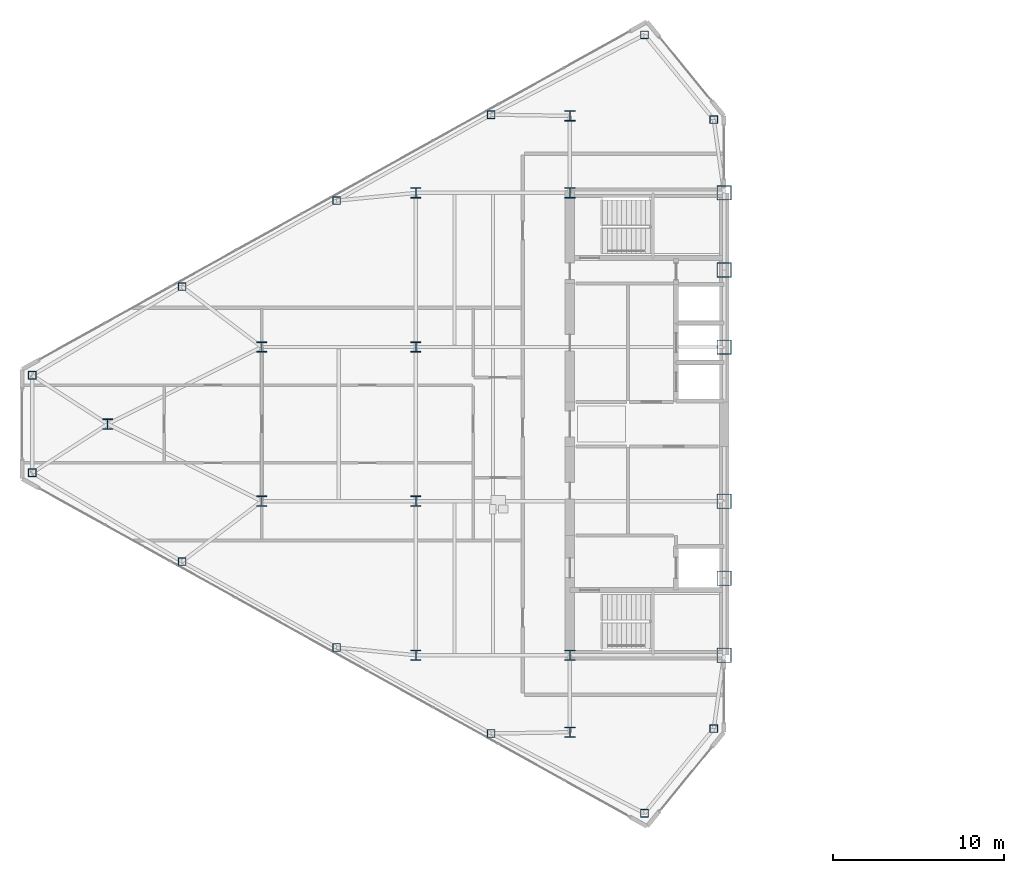
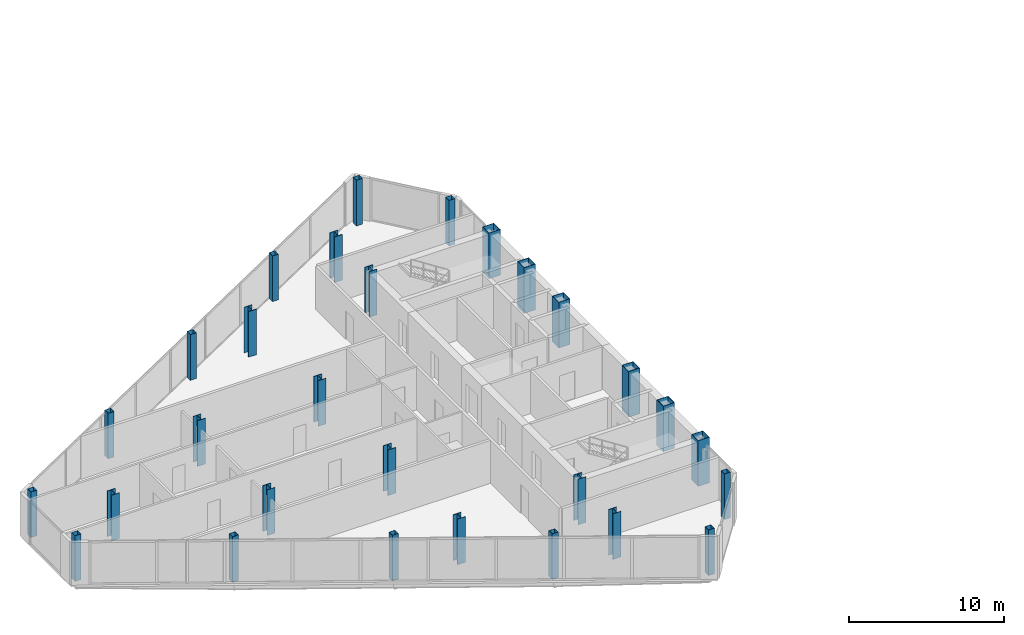
# One storey, part 1 of 25: 29 columns.
"""IFC4 building model written with IfcOpenShell, lengths in metres."""

from ifc_helpers import new_model, si_unit, direction, frame, origin, origin_2d, place, context, subcontext, project, spatial, hollow_rectangle, i_section, extrude, source, transform, mapped, material, material_profile, profile_set, type_object, type_shapes, element, save


model = new_model("IFC4")

# Units and contexts
model_context = context("Model", 3, precision=1e-05, world=origin(), true_north=direction((0.0, 1.0)))
body_context = subcontext(model_context, "Body", "Model", "MODEL_VIEW")
ifc_project = project(units=[si_unit("LENGTHUNIT", "METRE"), si_unit("AREAUNIT", "SQUARE_METRE"), si_unit("VOLUMEUNIT", "CUBIC_METRE"), si_unit("PLANEANGLEUNIT", "RADIAN"), si_unit("MASSUNIT", "GRAM", prefix="KILO")], contexts=[model_context])

# Site, building, storey
site_placement = place(None, origin())
site = spatial("IfcSite", under=ifc_project, at=site_placement, CompositionType="ELEMENT")
building_placement = place(site_placement, origin())
building = spatial("IfcBuilding", under=site, at=building_placement, Name="Seokmaru Belvedere", CompositionType="ELEMENT")
storey_placement = place(building_placement, frame((0.0, 0.0, 185.10009765625)))
storey = spatial("IfcBuildingStorey", under=building, at=storey_placement, Name="L49", CompositionType="ELEMENT", Elevation=185.10009765625)

# Columns
ifc_material_1 = material(Name="Steel SM355 (355 MPa)", Category="steel")
ifc_material_profile_1 = material_profile(ifc_material_1, hollow_rectangle(XDim=0.449951171875, YDim=0.449951171875, WallThickness=0.01806640625, at=origin_2d()), Name="HSS-450x450x18")
ifc_profile_set_1 = profile_set([ifc_material_profile_1], Name="Steel SM355 (355 MPa)")
column_type_1 = type_object("IfcColumnType", Name="Perimeter Facet Column HSS-450", PredefinedType="COLUMN", material=ifc_profile_set_1)
shared_shape_1 = source(origin(), body_context, "Body", "SweptSolid", [
    extrude(hollow_rectangle(XDim=0.449951171875, YDim=0.449951171875, WallThickness=0.01806640625, at=origin_2d()), origin(), (0.0, 0.0, 1.0), 3.599853515625),
])
type_shapes(column_type_1, [shared_shape_1])
for number, where, z_axis, x_axis, name in (
    (1, (-28.10009765625, -17.785888671875, 0.0), (0.0, 0.0, 1.0), (1.0, 0.0, 0.0), "L49 Column WF1"),
    (2, (-28.10009765625, 17.785888671875, 0.0), (0.0, 0.0, 1.0), (1.0, 0.0, 0.0), "L49 Column WF2"),
    (3, (-32.146728515625, 22.731689453125, 0.0), (0.0, 0.0, 1.0), (1.0, 0.0, 0.0), "L49 Column WF3"),
    (4, (-67.89990234375, 2.84716796875, 0.0), (0.0, 0.0, 1.0), (1.0, 0.0, 0.0), "L49 Column WF4"),
    (5, (-67.89990234375, -2.84716796875, 0.0), (0.0, 0.0, 1.0), (1.0, 0.0, 0.0), "L49 Column WF5"),
    (6, (-32.146728515625, -22.731689453125, 0.0), (0.0, 0.0, 1.0), (1.0, 0.0, 0.0), "L49 Column WF6"),
    (7, (-41.103759765625, -18.07080078125, 0.0), (0.0, 0.0, 1.0), (1.0, 0.0, 0.0), "L49 Column WFLK_S1"),
    (8, (-50.129150390625, -13.051025390625, 0.0), (0.0, 0.0, 1.0), (1.0, 0.0, 0.0), "L49 Column WFLK_S2"),
    (9, (-59.154541015625, -8.031494140625, 0.0), (0.0, 0.0, 1.0), (1.0, 0.0, 0.0), "L49 Column WFLK_S3"),
    (10, (-41.103759765625, 18.07080078125, 0.0), (0.0, 0.0, 1.0), (1.0, 0.0, 0.0), "L49 Column WFLK_N1"),
    (11, (-50.129150390625, 13.051025390625, 0.0), (0.0, 0.0, 1.0), (1.0, 0.0, 0.0), "L49 Column WFLK_N2"),
    (12, (-59.154541015625, 8.031494140625, 0.0), (0.0, 0.0, 1.0), (1.0, 0.0, 0.0), "L49 Column WFLK_N3"),
):
    element("IfcColumn", number, at=place(storey_placement, frame(where, z_axis=z_axis, x_axis=x_axis)), inside=storey, type_object=column_type_1, Name=name, PredefinedType="COLUMN", context=body_context, shape_type="MappedRepresentation", body=[
        mapped(shared_shape_1, transform((0.0, 0.0, 0.0), scale=1.0)),
    ])
ifc_material_2 = material(Name="Steel HSA650 (650 MPa)", Category="steel")
ifc_material_profile_2 = material_profile(ifc_material_2, hollow_rectangle(XDim=0.85009765625, YDim=0.85009765625, WallThickness=0.035888671875, at=origin_2d()), Name="BOX-850x850x36")
ifc_profile_set_2 = profile_set([ifc_material_profile_2], Name="Steel HSA650 (650 MPa)")
column_type_2 = type_object("IfcColumnType", Name="Portal Spine Column BOX-850", PredefinedType="COLUMN", material=ifc_profile_set_2)
shared_shape_2 = source(origin(), body_context, "Body", "SweptSolid", [
    extrude(hollow_rectangle(XDim=0.85009765625, YDim=0.85009765625, WallThickness=0.035888671875, at=origin_2d()), origin(), (0.0, 0.0, 1.0), 3.599853515625),
])
type_shapes(column_type_2, [shared_shape_2])
for number, where, z_axis, x_axis, name in (
    (13, (-27.5, -13.5, 0.0), (0.0, 0.0, 1.0), (1.0, 0.0, 0.0), "L49 Column WS1"),
    (14, (-27.5, -9.0, 0.0), (0.0, 0.0, 1.0), (1.0, 0.0, 0.0), "L49 Column WS2"),
    (15, (-27.5, -4.5, 0.0), (0.0, 0.0, 1.0), (1.0, 0.0, 0.0), "L49 Column WS3"),
    (16, (-27.5, 4.5, 0.0), (0.0, 0.0, 1.0), (1.0, 0.0, 0.0), "L49 Column WS4"),
    (17, (-27.5, 9.0, 0.0), (0.0, 0.0, 1.0), (1.0, 0.0, 0.0), "L49 Column WS5"),
    (18, (-27.5, 13.5, 0.0), (0.0, 0.0, 1.0), (1.0, 0.0, 0.0), "L49 Column WS6"),
):
    element("IfcColumn", number, at=place(storey_placement, frame(where, z_axis=z_axis, x_axis=x_axis)), inside=storey, type_object=column_type_2, Name=name, PredefinedType="COLUMN", context=body_context, shape_type="MappedRepresentation", body=[
        mapped(shared_shape_2, transform((0.0, 0.0, 0.0), scale=1.0)),
    ])
ifc_material_profile_3 = material_profile(ifc_material_1, i_section(OverallWidth=0.60009765625, OverallDepth=0.60009765625, WebThickness=0.02490234375, FlangeThickness=0.0400390625, at=origin_2d()), Name="H-600x600x25x40")
ifc_profile_set_3 = profile_set([ifc_material_profile_3], Name="Steel SM355 (355 MPa)")
column_type_3 = type_object("IfcColumnType", Name="Upper-Mid Interior Column H-600", PredefinedType="COLUMN", material=ifc_profile_set_3)
shared_shape_3 = source(origin(), body_context, "Body", "SweptSolid", [
    extrude(i_section(OverallWidth=0.60009765625, OverallDepth=0.60009765625, WebThickness=0.02490234375, FlangeThickness=0.0400390625, at=origin_2d()), origin(), (0.0, 0.0, 1.0), 3.599853515625),
])
type_shapes(column_type_3, [shared_shape_3])
for number, where, z_axis, x_axis, name in (
    (19, (-36.5, -18.0, 0.0), (0.0, 0.0, 1.0), (1.0, 0.0, 0.0), "L49 Column WC1"),
    (20, (-36.5, -13.5, 0.0), (0.0, 0.0, 1.0), (1.0, 0.0, 0.0), "L49 Column WC2"),
    (21, (-36.5, 13.5, 0.0), (0.0, 0.0, 1.0), (1.0, 0.0, 0.0), "L49 Column WC3"),
    (22, (-36.5, 18.0, 0.0), (0.0, 0.0, 1.0), (1.0, 0.0, 0.0), "L49 Column WC4"),
    (23, (-45.5, -13.5, 0.0), (0.0, 0.0, 1.0), (1.0, 0.0, 0.0), "L49 Column WG5_1"),
    (24, (-45.5, -4.5, 0.0), (0.0, 0.0, 1.0), (1.0, 0.0, 0.0), "L49 Column WG5_2"),
    (25, (-45.5, 4.5, 0.0), (0.0, 0.0, 1.0), (1.0, 0.0, 0.0), "L49 Column WG5_3"),
    (26, (-45.5, 13.5, 0.0), (0.0, 0.0, 1.0), (1.0, 0.0, 0.0), "L49 Column WG5_4"),
    (27, (-54.5, -4.5, 0.0), (0.0, 0.0, 1.0), (1.0, 0.0, 0.0), "L49 Column WG4P_1"),
    (28, (-54.5, 4.5, 0.0), (0.0, 0.0, 1.0), (1.0, 0.0, 0.0), "L49 Column WG4P_2"),
    (29, (-63.5, 0.0, 0.0), (0.0, 0.0, 1.0), (1.0, 0.0, 0.0), "L49 Column WG3P_1"),
):
    element("IfcColumn", number, at=place(storey_placement, frame(where, z_axis=z_axis, x_axis=x_axis)), inside=storey, type_object=column_type_3, Name=name, PredefinedType="COLUMN", context=body_context, shape_type="MappedRepresentation", body=[
        mapped(shared_shape_3, transform((0.0, 0.0, 0.0), scale=1.0)),
    ])

save(model, "model.ifc")
